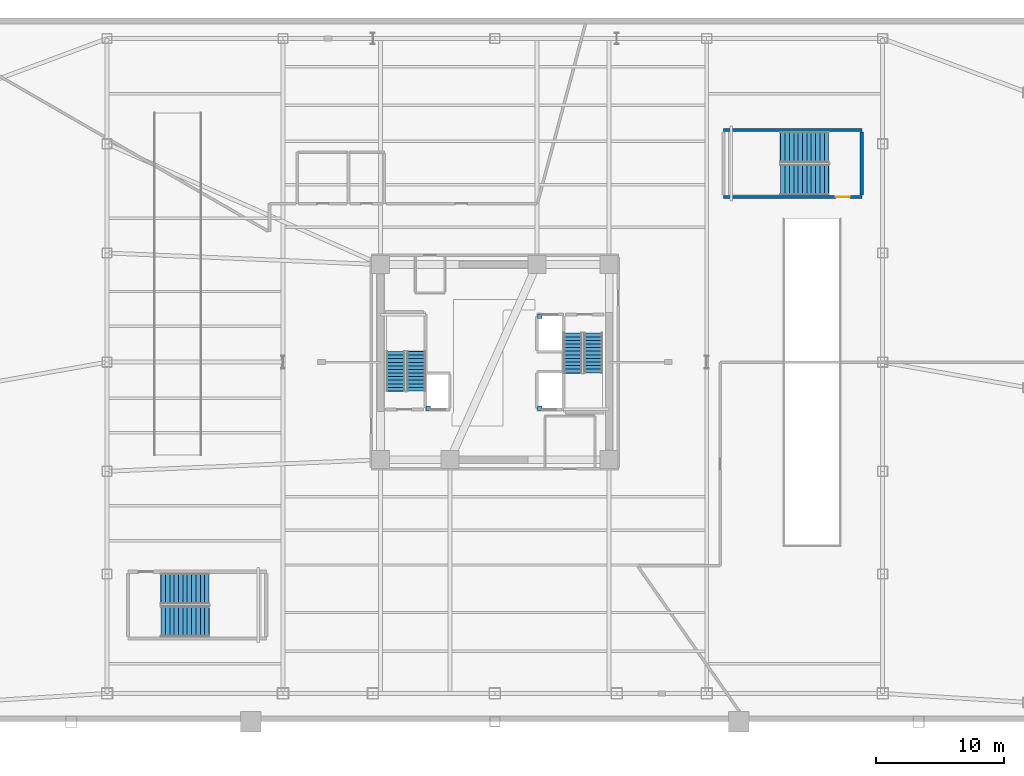
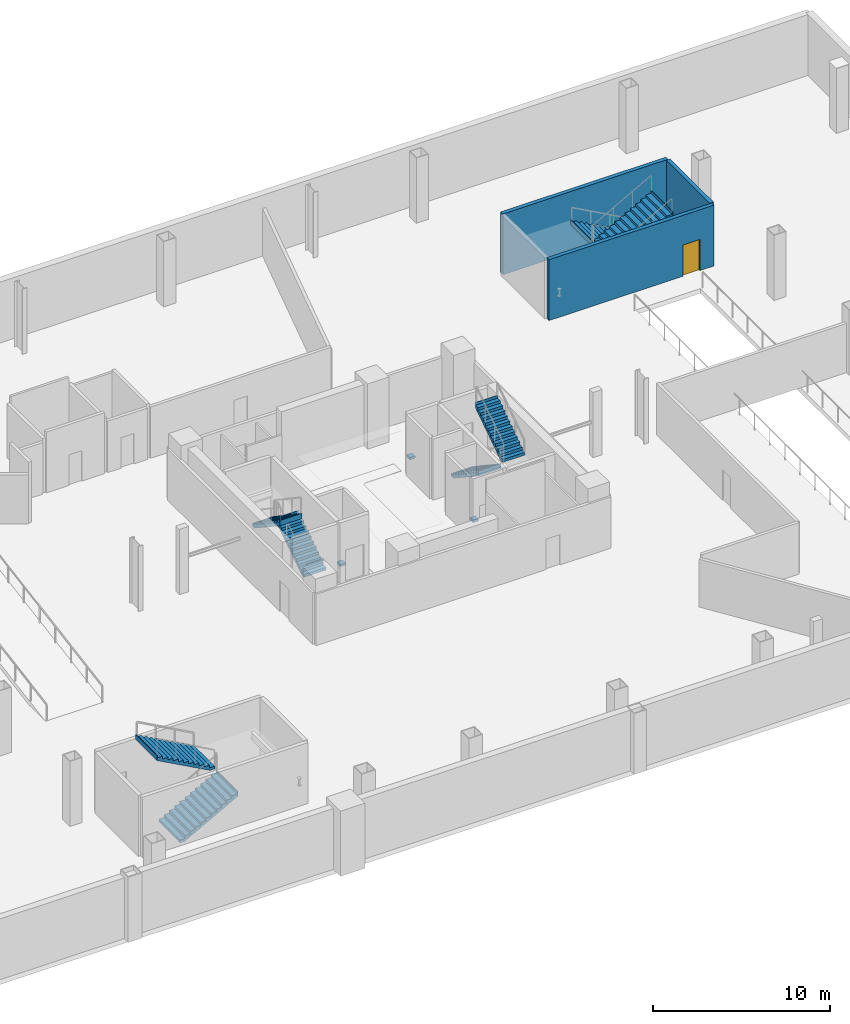
# One storey, part 10 of 14: 8 stair flights, 3 discrete accessories, 3 walls, 1 door, 1 opening, 4 elements without a shape of their own.
"""IFC4 building model written with IfcOpenShell, lengths in metres."""

import ifcopenshell
import ifcopenshell.guid

model = None  # the IFC model being written
_history = None  # IfcOwnerHistory: only IFC2X3 demands one
_inside = {}  # id of a spatial element -> (the spatial element, [elements in it])
_under = {}  # id of a project, library or spatial element -> (it, [spatial elements below it])
_declared = {}  # id of a project -> (the project, [libraries it declares])
_typed = {}  # id of a type object -> (the type object, [elements of that type])
_made_of = {}  # id of a material, layer set ... -> (it, [elements and type objects made of it])


def new_model(schema):
    """Start an empty IFC model of exactly this schema.

    Asked for "IFC4X3", IfcOpenShell would pick the latest addendum, in which some entities
    have other attributes; the version numbers below select the first issue.
    IFC2X3 requires an IfcOwnerHistory on every rooted entity: one is made here for all.
    """
    global model, _history
    if schema == "IFC4X3":
        model = ifcopenshell.file(schema_version=(4, 3, 0, 0))
    else:
        model = ifcopenshell.file(schema=schema)
    _inside.clear()
    _under.clear()
    _declared.clear()
    _typed.clear()
    _made_of.clear()
    _history = None
    if model.schema == "IFC2X3":
        org = make("IfcOrganization", Name="unknown")
        user = make(
            "IfcPersonAndOrganization",
            ThePerson=make("IfcPerson", FamilyName="unknown"),
            TheOrganization=org,
        )
        app = make(
            "IfcApplication",
            ApplicationDeveloper=org,
            Version="unknown",
            ApplicationFullName="unknown",
            ApplicationIdentifier="unknown",
        )
        _history = make(
            "IfcOwnerHistory",
            OwningUser=user,
            OwningApplication=app,
            ChangeAction="ADDED",
            CreationDate=0,
        )
    return model


def make(cls, **values):
    """One entity of the class cls with the attributes given. An attribute that is None is left unset."""
    return model.create_entity(
        cls, **{name: value for name, value in values.items() if value is not None}
    )


def rooted(cls, **values):
    """An entity with a GlobalId (a new one), such as an element, a storey or a relation."""
    return make(cls, GlobalId=ifcopenshell.guid.new(), OwnerHistory=_history, **values)


def si_unit(unit_type, name, prefix=None):
    """IfcSIUnit, for example si_unit("LENGTHUNIT", "METRE", prefix="MILLI")."""
    return make("IfcSIUnit", UnitType=unit_type, Prefix=prefix, Name=name)


def assignment(units):
    """IfcUnitAssignment: the units of a project."""
    return None if units is None else make("IfcUnitAssignment", Units=units)


def point(xyz):
    """IfcCartesianPoint."""
    return None if xyz is None else make("IfcCartesianPoint", Coordinates=xyz)


def direction(xyz):
    """IfcDirection."""
    return None if xyz is None else make("IfcDirection", DirectionRatios=xyz)


def frame(location, z_axis=None, x_axis=None):
    """IfcAxis2Placement3D, a coordinate frame: its origin and axes. An axis left out is left unset."""
    return make(
        "IfcAxis2Placement3D",
        Location=point(location),
        Axis=direction(z_axis),
        RefDirection=direction(x_axis),
    )


def frame_2d(location, x_axis=None):
    """IfcAxis2Placement2D, a coordinate frame in the plane: its origin and x axis."""
    return make(
        "IfcAxis2Placement2D", Location=point(location), RefDirection=direction(x_axis)
    )


def origin():
    """The frame at (0, 0, 0) with its axes left unset."""
    return frame((0.0, 0.0, 0.0))


def origin_2d():
    """The frame at (0, 0) in the plane with its x axis left unset."""
    return frame_2d((0.0, 0.0))


def place(relative_to, where):
    """IfcLocalPlacement: puts the frame where relative to a parent placement (None: the world)."""
    return make(
        "IfcLocalPlacement", PlacementRelTo=relative_to, RelativePlacement=where
    )


def context(
    kind, dimensions, precision=None, world=None, true_north=None, identifier=None
):
    """IfcGeometricRepresentationContext, for example the 3D "Model" context."""
    return make(
        "IfcGeometricRepresentationContext",
        ContextIdentifier=identifier,
        ContextType=kind,
        CoordinateSpaceDimension=dimensions,
        Precision=precision,
        WorldCoordinateSystem=world,
        TrueNorth=true_north,
    )


def subcontext(parent, identifier, kind, view, scale=None):
    """IfcGeometricRepresentationSubContext, for example "Body" below "Model"."""
    return make(
        "IfcGeometricRepresentationSubContext",
        ContextIdentifier=identifier,
        ContextType=kind,
        ParentContext=parent,
        TargetScale=scale,
        TargetView=view,
    )


def project(units=None, contexts=None):
    """IfcProject with its units and contexts."""
    return rooted(
        "IfcProject",
        Name="project",
        RepresentationContexts=contexts,
        UnitsInContext=assignment(units),
    )


def spatial(cls, under=None, at=None, **own):
    """A site, building, storey or space (cls), placed at a placement, below another one or the project."""
    s = rooted(cls, ObjectPlacement=at, **own)
    if under is not None:
        _under.setdefault(under.id(), (under, []))[1].append(s)
    return s


def polyline(points):
    """IfcPolyline through the points."""
    return make("IfcPolyline", Points=[point(p) for p in points])


def profile(cls, at=None, kind="AREA", **sizes):
    """A parametric profile (cls). Its sizes go by their IFC names, for example OverallWidth=200.0."""
    return make(cls, ProfileType=kind, Position=at, **sizes)


def rectangle(**sizes):
    """IfcRectangleProfileDef."""
    return profile("IfcRectangleProfileDef", **sizes)


def outline(outer, holes=None, kind="AREA"):
    """IfcArbitraryClosedProfileDef: a profile drawn as a closed curve; with holes, ...WithVoids."""
    if holes is None:
        return make("IfcArbitraryClosedProfileDef", ProfileType=kind, OuterCurve=outer)
    return make(
        "IfcArbitraryProfileDefWithVoids",
        ProfileType=kind,
        OuterCurve=outer,
        InnerCurves=holes,
    )


def extrude(swept, where, along, depth):
    """IfcExtrudedAreaSolid: the profile swept, set in the frame where, extruded along a direction by depth."""
    return make(
        "IfcExtrudedAreaSolid",
        SweptArea=swept,
        Position=where,
        ExtrudedDirection=direction(along),
        Depth=depth,
    )


def shape(context_of_items, identifier, shape_type, items):
    """IfcShapeRepresentation: the items that make up one representation, for example the "Body"."""
    return make(
        "IfcShapeRepresentation",
        ContextOfItems=context_of_items,
        RepresentationIdentifier=identifier,
        RepresentationType=shape_type,
        Items=items,
    )


def material(Name=None, Category=None):
    """IfcMaterial."""
    return make("IfcMaterial", Name=Name, Category=Category)


def layer(
    of_material, thickness, ventilated=None, Name=None, Category=None, Priority=None
):
    """IfcMaterialLayer: one layer of a wall or slab, of a material (None: an air gap)."""
    return make(
        "IfcMaterialLayer",
        Material=of_material,
        LayerThickness=thickness,
        IsVentilated=ventilated,
        Name=Name,
        Category=Category,
        Priority=Priority,
    )


def layer_set(layers, Name=None):
    """IfcMaterialLayerSet."""
    return make("IfcMaterialLayerSet", MaterialLayers=layers, LayerSetName=Name)


def made_of(thing, what):
    """Note that an element or type object is made of a material, layer set ...; save() writes the relation."""
    if what is not None:
        _made_of.setdefault(what.id(), (what, []))[1].append(thing)
    return thing


def type_object(cls, material=None, **own):
    """A type object (cls), such as IfcWallType, which elements share."""
    return made_of(rooted(cls, **own), material)


def element(
    cls,
    number,
    at=None,
    inside=None,
    cuts=None,
    type_object=None,
    material=None,
    context=None,
    identifier="Body",
    shape_type=None,
    held_by="IfcProductDefinitionShape",
    body=None,
    shapes=None,
    **own,
):
    """One element of the class cls, such as IfcWall. Its Tag is "e" and its number.

    at: its placement. inside: the storey or other place that contains it. cuts: it is an
    opening in that element (IfcRelVoidsElement). A single representation is given by context,
    identifier, shape_type and body (its items); several are given by shapes. held_by: the class
    of the entity that holds the representations. save() writes the other relations.
    """
    e = rooted(cls, Tag="e%d" % number, ObjectPlacement=at, **own)
    if body is not None:
        shapes = [shape(context, identifier, shape_type, body)]
    if shapes is not None:
        e.Representation = make(held_by, Representations=shapes)
    if inside is not None:
        _inside.setdefault(inside.id(), (inside, []))[1].append(e)
    if cuts is not None:
        rooted(
            "IfcRelVoidsElement", RelatingBuildingElement=cuts, RelatedOpeningElement=e
        )
    if type_object is not None:
        _typed.setdefault(type_object.id(), (type_object, []))[1].append(e)
    return made_of(e, material)


def fill(opening, filler):
    """IfcRelFillsElement: the door or window that sits in an opening."""
    return rooted(
        "IfcRelFillsElement",
        RelatingOpeningElement=opening,
        RelatedBuildingElement=filler,
    )


def aggregate(whole, parts):
    """IfcRelAggregates: a whole, such as a stair, and the parts it consists of."""
    return rooted("IfcRelAggregates", RelatingObject=whole, RelatedObjects=parts)


def save(model, path):
    """Write the relations noted so far, then the file.

    IfcRelAggregates (storeys below a building ...), IfcRelContainedInSpatialStructure (elements
    in a storey), IfcRelDefinesByType, IfcRelAssociatesMaterial and IfcRelDeclares: one each for
    every whole, place, type object, material and project.
    """
    for whole, parts in _under.values():
        aggregate(whole, parts)
    for where, things in _inside.values():
        rooted(
            "IfcRelContainedInSpatialStructure",
            RelatedElements=things,
            RelatingStructure=where,
        )
    for kind, things in _typed.values():
        rooted("IfcRelDefinesByType", RelatedObjects=things, RelatingType=kind)
    for what, things in _made_of.values():
        rooted("IfcRelAssociatesMaterial", RelatedObjects=things, RelatingMaterial=what)
    for by, libraries in _declared.values():
        rooted("IfcRelDeclares", RelatingContext=by, RelatedDefinitions=libraries)
    model.write(path)


model = new_model("IFC4")

# Units and contexts
model_context = context("Model", 3, precision=1e-05, world=origin(), true_north=direction((0.0, 1.0)))
body_context = subcontext(model_context, "Body", "Model", "MODEL_VIEW")
ifc_project = project(units=[si_unit("LENGTHUNIT", "METRE"), si_unit("AREAUNIT", "SQUARE_METRE"), si_unit("VOLUMEUNIT", "CUBIC_METRE"), si_unit("PLANEANGLEUNIT", "RADIAN"), si_unit("MASSUNIT", "GRAM", prefix="KILO")], contexts=[model_context])

# Site, building, storey
site_placement = place(None, origin())
site = spatial("IfcSite", under=ifc_project, at=site_placement, CompositionType="ELEMENT")
building_placement = place(site_placement, origin())
building = spatial("IfcBuilding", under=site, at=building_placement, Name="Tharavind Bronze Gate", CompositionType="ELEMENT")
storey_placement = place(building_placement, frame((0.0, 0.0, -4.5)))
storey = spatial("IfcBuildingStorey", under=building, at=storey_placement, Name="B01", CompositionType="ELEMENT", Elevation=-4.5)

# Wall, opening, door
ifc_material_1 = material(Name="Concrete C50/60", Category="concrete")
ifc_layer = layer(ifc_material_1, 0.25)
ifc_layer_set = layer_set([ifc_layer], Name="Concrete C50/60")
wall_type = type_object("IfcWallType", Name="RC CORE SHEAR WALL 250", PredefinedType="SHEAR", material=ifc_layer_set)
wall_1_placement = place(storey_placement, frame((17.800048828125, 12.8701171875, 0.0), z_axis=(0.0, 0.0, 1.0), x_axis=(1.0, 0.0, 0.0)))
wall_1 = element("IfcWall", 1, at=wall_1_placement, inside=storey, type_object=wall_type, Name="B01 ST4 south wall", PredefinedType="SHEAR", context=body_context, shape_type="SweptSolid", body=[
    extrude(rectangle(XDim=10.780029296875, YDim=0.25, at=frame_2d((5.39013671875, 0.0))), origin(), (0.0, 0.0, 1.0), 4.199951171875),
])
opening_placement = place(wall_1_placement, frame((8.75, 0.0, 0.0)))
opening = element("IfcOpeningElement", 2, at=opening_placement, cuts=wall_1, Name="Opening ID01", PredefinedType="OPENING", context=body_context, shape_type="SweptSolid", body=[
    extrude(rectangle(XDim=1.10009765625, YDim=2.14990234375, at=frame_2d((0.550048828125, 1.074951171875))), frame((0.0, 0.135, 0.0), z_axis=(0.0, -1.0, 0.0), x_axis=(1.0, 0.0, 0.0)), (0.0, 0.0, 1.0), 0.27),
])
ifc_material_2 = material(Name="Fire-Rated Steel", Category="steel")
door_type = type_object("IfcDoorType", Name="STAIR CORE FIRE DOOR 1100X2150", OperationType="SINGLE_SWING_LEFT", PredefinedType="DOOR", material=ifc_material_2)
door_placement = place(opening_placement, origin())
door = element("IfcDoor", 3, at=door_placement, inside=storey, type_object=door_type, Name="B01 podium stair ST4 fire door", OperationType="SINGLE_SWING_LEFT", OverallHeight=2.14990234375, OverallWidth=1.10009765625, PredefinedType="DOOR", context=body_context, shape_type="SweptSolid", body=[
    extrude(rectangle(XDim=1.10009765625, YDim=2.14990234375, at=frame_2d((0.550048828125, 1.074951171875))), frame((0.0, 0.02490234375, 0.0), z_axis=(0.0, -1.0, 0.0), x_axis=(1.0, 0.0, 0.0)), (0.0, 0.0, 1.0), 0.050048828125),
])
fill(opening, door)

# Walls
wall_2_placement = place(storey_placement, frame((17.800048828125, 18.080078125, 0.0), z_axis=(0.0, 0.0, 1.0), x_axis=(1.0, 0.0, 0.0)))
element("IfcWall", 4, at=wall_2_placement, inside=storey, type_object=wall_type, Name="B01 ST4 north wall", PredefinedType="SHEAR", context=body_context, shape_type="SweptSolid", body=[
    extrude(rectangle(XDim=10.780029296875, YDim=0.25, at=frame_2d((5.39013671875, 0.0))), origin(), (0.0, 0.0, 1.0), 4.199951171875),
])
wall_3_placement = place(storey_placement, frame((28.580078125, 13.02001953125, 0.0), z_axis=(0.0, 0.0, 1.0), x_axis=(0.0, 1.0, 0.0)))
element("IfcWall", 5, at=wall_3_placement, inside=storey, type_object=wall_type, Name="B01 ST4 east wall", PredefinedType="SHEAR", context=body_context, shape_type="SweptSolid", body=[
    extrude(rectangle(XDim=4.909912109375, YDim=0.25, at=frame_2d((2.455078125, 0.0))), origin(), (0.0, 0.0, 1.0), 4.199951171875),
])

# Stair, stair flights
ifc_material_3 = material(Name="Concrete C40/50", Category="concrete")
stair_type_1 = type_object("IfcStairType", Name="CORE HALF TURN STAIR 1450", PredefinedType="HALF_TURN_STAIR", material=ifc_material_3)
stair_1_placement = place(storey_placement, origin())
stair_1 = element("IfcStair", 6, at=stair_1_placement, inside=storey, type_object=stair_type_1, Name="B01 Protected Exit Stair ST1", PredefinedType="HALF_TURN_STAIR")
stair_flight_type_1 = type_object("IfcStairFlightType", Name="CORE STAIR FLIGHT 1450", PredefinedType="STRAIGHT", material=ifc_material_3)
stair_flight_1_placement = place(storey_placement, frame((-6.125, -2.25, 0.0), z_axis=(0.0, 0.0, 1.0), x_axis=(0.0, 1.0, 0.0)))
stair_flight_1 = element("IfcStairFlight", 7, at=stair_flight_1_placement, type_object=stair_flight_type_1, Name="ST1 flight 1", NumberOfRisers=12, NumberOfTreads=11, PredefinedType="STRAIGHT", RiserHeight=0.1875, TreadLength=0.28, context=body_context, shape_type="SweptSolid", body=[
    extrude(outline(polyline([(0.0, 0.0), (0.0, 0.1875), (0.280029296875, 0.1875), (0.280029296875, 0.375), (0.56005859375, 0.375), (0.56005859375, 0.5625), (0.840087890625, 0.5625), (0.840087890625, 0.75), (1.1201171875, 0.75), (1.1201171875, 0.9375), (1.39990234375, 0.9375), (1.39990234375, 1.125), (1.679931640625, 1.125), (1.679931640625, 1.3125), (1.9599609375, 1.3125), (1.9599609375, 1.5), (2.239990234375, 1.5), (2.239990234375, 1.6875), (2.52001953125, 1.6875), (2.52001953125, 1.875), (2.800048828125, 1.875), (2.800048828125, 2.0625), (3.080078125, 2.0625), (3.080078125, 2.25), (3.115966796875, 2.25), (3.115966796875, 1.882080078125), (0.26953125, 0.0), (0.0, 0.0)])), frame((0.0, 0.72509765625, 0.0), z_axis=(0.0, -1.0, 0.0), x_axis=(1.0, 0.0, 0.0)), (0.0, 0.0, 1.0), 1.449951171875),
])
stair_flight_2_placement = place(storey_placement, frame((-7.72509765625, 0.830078125, 2.25), z_axis=(0.0, 0.0, 1.0), x_axis=(0.0, -1.0, 0.0)))
stair_flight_2 = element("IfcStairFlight", 8, at=stair_flight_2_placement, type_object=stair_flight_type_1, Name="ST1 flight 2", NumberOfRisers=12, NumberOfTreads=11, PredefinedType="STRAIGHT", RiserHeight=0.1875, TreadLength=0.28, context=body_context, shape_type="SweptSolid", body=[
    extrude(outline(polyline([(0.0, 0.0), (0.0, 0.1875), (0.280029296875, 0.1875), (0.280029296875, 0.375), (0.56005859375, 0.375), (0.56005859375, 0.5625), (0.840087890625, 0.5625), (0.840087890625, 0.75), (1.1201171875, 0.75), (1.1201171875, 0.9375), (1.39990234375, 0.9375), (1.39990234375, 1.125), (1.679931640625, 1.125), (1.679931640625, 1.3125), (1.9599609375, 1.3125), (1.9599609375, 1.5), (2.239990234375, 1.5), (2.239990234375, 1.6875), (2.52001953125, 1.6875), (2.52001953125, 1.875), (2.800048828125, 1.875), (2.800048828125, 2.0625), (3.080078125, 2.0625), (3.080078125, 2.25), (3.115966796875, 2.25), (3.115966796875, 1.882080078125), (0.26953125, 0.0), (0.0, 0.0)])), frame((0.0, 0.72509765625, 0.0), z_axis=(0.0, -1.0, 0.0), x_axis=(1.0, 0.0, 0.0)), (0.0, 0.0, 1.0), 1.449951171875),
])
aggregate(stair_1, [stair_flight_1, stair_flight_2])

stair_2_placement = place(storey_placement, origin())
stair_2 = element("IfcStair", 9, at=stair_2_placement, inside=storey, type_object=stair_type_1, Name="B01 Protected Exit Stair ST2", PredefinedType="HALF_TURN_STAIR")
stair_flight_3_placement = place(storey_placement, frame((6.074951171875, 2.25, 0.0), z_axis=(0.0, 0.0, 1.0), x_axis=(0.0, -1.0, 0.0)))
stair_flight_3 = element("IfcStairFlight", 10, at=stair_flight_3_placement, type_object=stair_flight_type_1, Name="ST2 flight 1", NumberOfRisers=12, NumberOfTreads=11, PredefinedType="STRAIGHT", RiserHeight=0.1875, TreadLength=0.28, context=body_context, shape_type="SweptSolid", body=[
    extrude(outline(polyline([(0.0, 0.0), (0.0, 0.1875), (0.280029296875, 0.1875), (0.280029296875, 0.375), (0.56005859375, 0.375), (0.56005859375, 0.5625), (0.840087890625, 0.5625), (0.840087890625, 0.75), (1.1201171875, 0.75), (1.1201171875, 0.9375), (1.39990234375, 0.9375), (1.39990234375, 1.125), (1.679931640625, 1.125), (1.679931640625, 1.3125), (1.9599609375, 1.3125), (1.9599609375, 1.5), (2.239990234375, 1.5), (2.239990234375, 1.6875), (2.52001953125, 1.6875), (2.52001953125, 1.875), (2.800048828125, 1.875), (2.800048828125, 2.0625), (3.080078125, 2.0625), (3.080078125, 2.25), (3.115966796875, 2.25), (3.115966796875, 1.882080078125), (0.26953125, 0.0), (0.0, 0.0)])), frame((0.0, 0.72509765625, 0.0), z_axis=(0.0, -1.0, 0.0), x_axis=(1.0, 0.0, 0.0)), (0.0, 0.0, 1.0), 1.449951171875),
])
stair_flight_4_placement = place(storey_placement, frame((7.675048828125, -0.830078125, 2.25), z_axis=(0.0, 0.0, 1.0), x_axis=(0.0, 1.0, 0.0)))
stair_flight_4 = element("IfcStairFlight", 11, at=stair_flight_4_placement, type_object=stair_flight_type_1, Name="ST2 flight 2", NumberOfRisers=12, NumberOfTreads=11, PredefinedType="STRAIGHT", RiserHeight=0.1875, TreadLength=0.28, context=body_context, shape_type="SweptSolid", body=[
    extrude(outline(polyline([(0.0, 0.0), (0.0, 0.1875), (0.280029296875, 0.1875), (0.280029296875, 0.375), (0.56005859375, 0.375), (0.56005859375, 0.5625), (0.840087890625, 0.5625), (0.840087890625, 0.75), (1.1201171875, 0.75), (1.1201171875, 0.9375), (1.39990234375, 0.9375), (1.39990234375, 1.125), (1.679931640625, 1.125), (1.679931640625, 1.3125), (1.9599609375, 1.3125), (1.9599609375, 1.5), (2.239990234375, 1.5), (2.239990234375, 1.6875), (2.52001953125, 1.6875), (2.52001953125, 1.875), (2.800048828125, 1.875), (2.800048828125, 2.0625), (3.080078125, 2.0625), (3.080078125, 2.25), (3.115966796875, 2.25), (3.115966796875, 1.882080078125), (0.26953125, 0.0), (0.0, 0.0)])), frame((0.0, 0.72509765625, 0.0), z_axis=(0.0, -1.0, 0.0), x_axis=(1.0, 0.0, 0.0)), (0.0, 0.0, 1.0), 1.449951171875),
])
aggregate(stair_2, [stair_flight_3, stair_flight_4])

stair_type_2 = type_object("IfcStairType", Name="PODIUM HALF TURN STAIR 2400", PredefinedType="HALF_TURN_STAIR", material=ifc_material_3)
stair_3_placement = place(storey_placement, origin())
stair_3 = element("IfcStair", 12, at=stair_3_placement, inside=storey, type_object=stair_type_2, Name="B01 Protected Exit Stair ST3", PredefinedType="HALF_TURN_STAIR")
stair_flight_type_2 = type_object("IfcStairFlightType", Name="PODIUM STAIR FLIGHT 2400", PredefinedType="STRAIGHT", material=ifc_material_3)
stair_flight_5_placement = place(storey_placement, frame((-26.0, -20.199951171875, 0.0), z_axis=(0.0, 0.0, 1.0), x_axis=(1.0, 0.0, 0.0)))
stair_flight_5 = element("IfcStairFlight", 13, at=stair_flight_5_placement, type_object=stair_flight_type_2, Name="ST3 flight 1", NumberOfRisers=12, NumberOfTreads=11, PredefinedType="STRAIGHT", RiserHeight=0.1875, TreadLength=0.34, context=body_context, shape_type="SweptSolid", body=[
    extrude(outline(polyline([(0.0, 0.0), (0.0, 0.1875), (0.340087890625, 0.1875), (0.340087890625, 0.375), (0.679931640625, 0.375), (0.679931640625, 0.5625), (1.02001953125, 0.5625), (1.02001953125, 0.75), (1.360107421875, 0.75), (1.360107421875, 0.9375), (1.699951171875, 0.9375), (1.699951171875, 1.125), (2.0400390625, 1.125), (2.0400390625, 1.3125), (2.3798828125, 1.3125), (2.3798828125, 1.5), (2.719970703125, 1.5), (2.719970703125, 1.6875), (3.06005859375, 1.6875), (3.06005859375, 1.875), (3.39990234375, 1.875), (3.39990234375, 2.0625), (3.739990234375, 2.0625), (3.739990234375, 2.25), (3.77587890625, 2.25), (3.77587890625, 1.891357421875), (0.310302734375, 0.0), (0.0, 0.0)])), frame((0.0, 1.199951171875, 0.0), z_axis=(0.0, -1.0, 0.0), x_axis=(1.0, 0.0, 0.0)), (0.0, 0.0, 1.0), 2.39990234375),
])
stair_flight_6_placement = place(storey_placement, frame((-22.260009765625, -17.64990234375, 2.25), z_axis=(0.0, 0.0, 1.0), x_axis=(-1.0, 0.0, 0.0)))
stair_flight_6 = element("IfcStairFlight", 14, at=stair_flight_6_placement, type_object=stair_flight_type_2, Name="ST3 flight 2", NumberOfRisers=12, NumberOfTreads=11, PredefinedType="STRAIGHT", RiserHeight=0.1875, TreadLength=0.34, context=body_context, shape_type="SweptSolid", body=[
    extrude(outline(polyline([(0.0, 0.0), (0.0, 0.1875), (0.340087890625, 0.1875), (0.340087890625, 0.375), (0.679931640625, 0.375), (0.679931640625, 0.5625), (1.02001953125, 0.5625), (1.02001953125, 0.75), (1.360107421875, 0.75), (1.360107421875, 0.9375), (1.699951171875, 0.9375), (1.699951171875, 1.125), (2.0400390625, 1.125), (2.0400390625, 1.3125), (2.3798828125, 1.3125), (2.3798828125, 1.5), (2.719970703125, 1.5), (2.719970703125, 1.6875), (3.06005859375, 1.6875), (3.06005859375, 1.875), (3.39990234375, 1.875), (3.39990234375, 2.0625), (3.739990234375, 2.0625), (3.739990234375, 2.25), (3.77587890625, 2.25), (3.77587890625, 1.891357421875), (0.310302734375, 0.0), (0.0, 0.0)])), frame((0.0, 1.199951171875, 0.0), z_axis=(0.0, -1.0, 0.0), x_axis=(1.0, 0.0, 0.0)), (0.0, 0.0, 1.0), 2.39990234375),
])
aggregate(stair_3, [stair_flight_5, stair_flight_6])

stair_4_placement = place(storey_placement, origin())
stair_4 = element("IfcStair", 15, at=stair_4_placement, inside=storey, type_object=stair_type_2, Name="B01 Protected Exit Stair ST4", PredefinedType="HALF_TURN_STAIR")
stair_flight_7_placement = place(storey_placement, frame((26.0, 16.75, 0.0), z_axis=(0.0, 0.0, 1.0), x_axis=(-1.0, 0.0, 0.0)))
stair_flight_7 = element("IfcStairFlight", 16, at=stair_flight_7_placement, type_object=stair_flight_type_2, Name="ST4 flight 1", NumberOfRisers=12, NumberOfTreads=11, PredefinedType="STRAIGHT", RiserHeight=0.1875, TreadLength=0.34, context=body_context, shape_type="SweptSolid", body=[
    extrude(outline(polyline([(0.0, 0.0), (0.0, 0.1875), (0.340087890625, 0.1875), (0.340087890625, 0.375), (0.679931640625, 0.375), (0.679931640625, 0.5625), (1.02001953125, 0.5625), (1.02001953125, 0.75), (1.360107421875, 0.75), (1.360107421875, 0.9375), (1.699951171875, 0.9375), (1.699951171875, 1.125), (2.0400390625, 1.125), (2.0400390625, 1.3125), (2.3798828125, 1.3125), (2.3798828125, 1.5), (2.719970703125, 1.5), (2.719970703125, 1.6875), (3.06005859375, 1.6875), (3.06005859375, 1.875), (3.39990234375, 1.875), (3.39990234375, 2.0625), (3.739990234375, 2.0625), (3.739990234375, 2.25), (3.77587890625, 2.25), (3.77587890625, 1.891357421875), (0.310302734375, 0.0), (0.0, 0.0)])), frame((0.0, 1.199951171875, 0.0), z_axis=(0.0, -1.0, 0.0), x_axis=(1.0, 0.0, 0.0)), (0.0, 0.0, 1.0), 2.39990234375),
])
stair_flight_8_placement = place(storey_placement, frame((22.260009765625, 14.199951171875, 2.25), z_axis=(0.0, 0.0, 1.0), x_axis=(1.0, 0.0, 0.0)))
stair_flight_8 = element("IfcStairFlight", 17, at=stair_flight_8_placement, type_object=stair_flight_type_2, Name="ST4 flight 2", NumberOfRisers=12, NumberOfTreads=11, PredefinedType="STRAIGHT", RiserHeight=0.1875, TreadLength=0.34, context=body_context, shape_type="SweptSolid", body=[
    extrude(outline(polyline([(0.0, 0.0), (0.0, 0.1875), (0.340087890625, 0.1875), (0.340087890625, 0.375), (0.679931640625, 0.375), (0.679931640625, 0.5625), (1.02001953125, 0.5625), (1.02001953125, 0.75), (1.360107421875, 0.75), (1.360107421875, 0.9375), (1.699951171875, 0.9375), (1.699951171875, 1.125), (2.0400390625, 1.125), (2.0400390625, 1.3125), (2.3798828125, 1.3125), (2.3798828125, 1.5), (2.719970703125, 1.5), (2.719970703125, 1.6875), (3.06005859375, 1.6875), (3.06005859375, 1.875), (3.39990234375, 1.875), (3.39990234375, 2.0625), (3.739990234375, 2.0625), (3.739990234375, 2.25), (3.77587890625, 2.25), (3.77587890625, 1.891357421875), (0.310302734375, 0.0), (0.0, 0.0)])), frame((0.0, 1.199951171875, 0.0), z_axis=(0.0, -1.0, 0.0), x_axis=(1.0, 0.0, 0.0)), (0.0, 0.0, 1.0), 2.39990234375),
])
aggregate(stair_4, [stair_flight_7, stair_flight_8])

# Discrete accessories
ifc_material_4 = material(Name="Galvanised Steel S355", Category="steel")
discrete_accessory_type = type_object("IfcDiscreteAccessoryType", Name="LIFT GUIDE RAIL BRACKET", PredefinedType="BRACKET", material=ifc_material_4)
for number, where, z_axis, x_axis, name in (
    (18, (-5.179931640625, -3.580078125, 1.1201171875), (0.0, 0.0, 1.0), (1.0, 0.0, 0.0), "Lift FFL1 guide rail bracket at B01"),
    (19, (3.5, 3.580078125, 1.1201171875), (0.0, 0.0, 1.0), (1.0, 0.0, 0.0), "Lift FFL2 guide rail bracket at B01"),
    (20, (3.5, -3.580078125, 1.1201171875), (0.0, 0.0, 1.0), (1.0, 0.0, 0.0), "Lift SVL1 guide rail bracket at B01"),
):
    element("IfcDiscreteAccessory", number, at=place(storey_placement, frame(where, z_axis=z_axis, x_axis=x_axis)), inside=storey, type_object=discrete_accessory_type, Name=name, PredefinedType="BRACKET", context=body_context, shape_type="SweptSolid", body=[
        extrude(rectangle(XDim=0.360107421875, YDim=0.360107421875, at=origin_2d()), origin(), (0.0, 0.0, 1.0), 0.159912109375),
    ])

save(model, "model.ifc")
